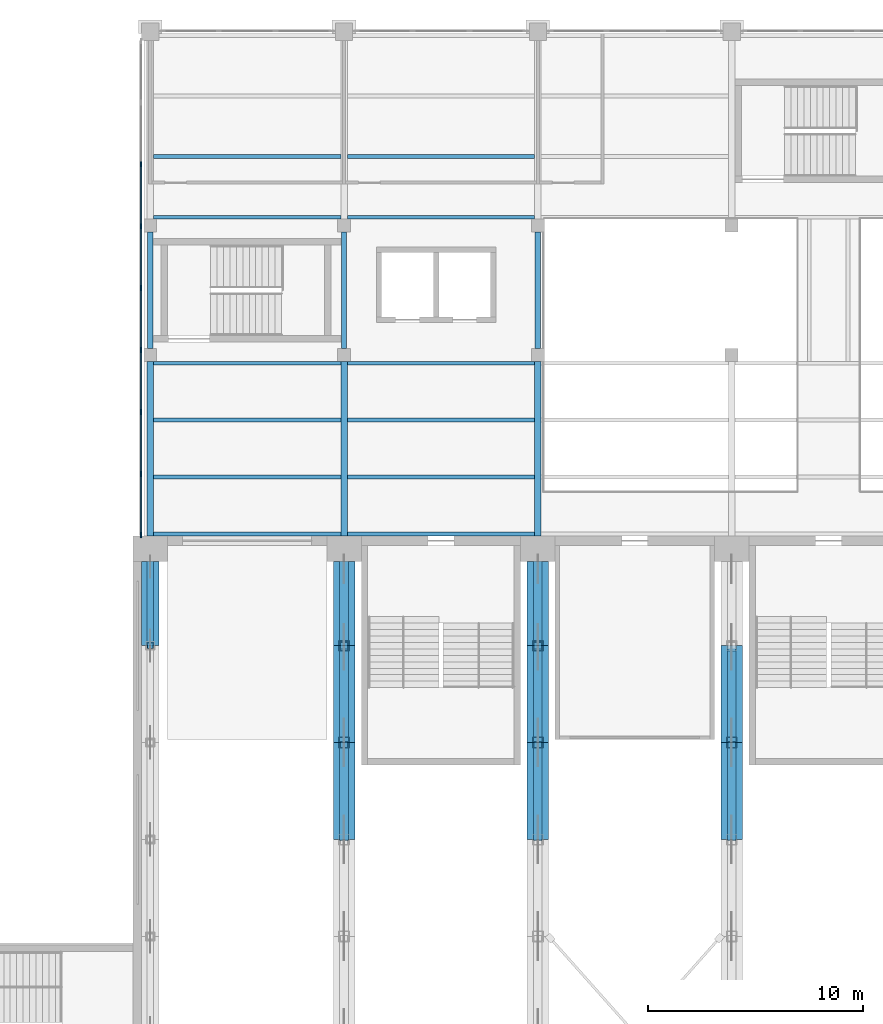
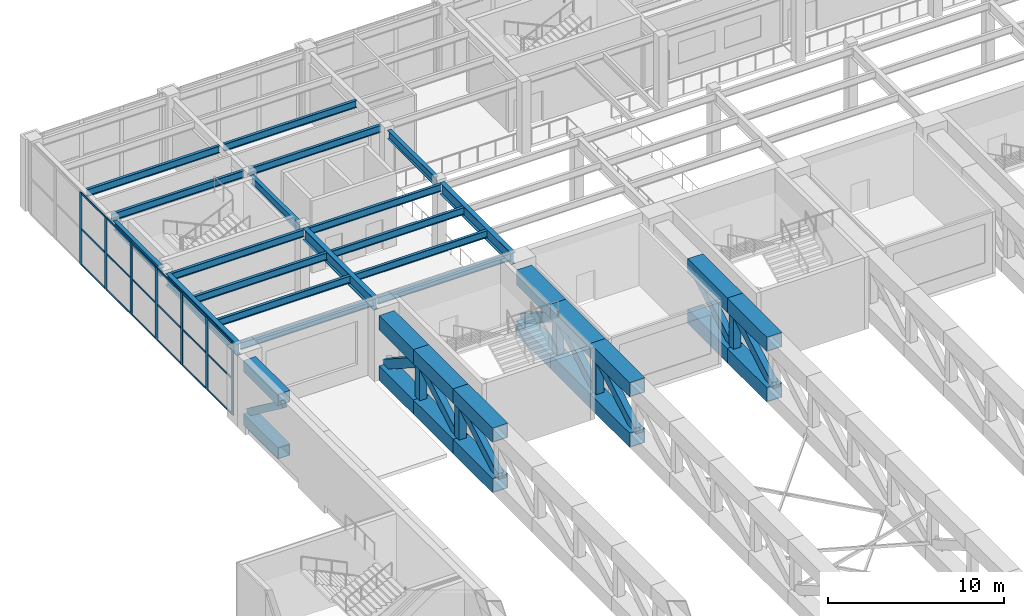
# One storey, part 14 of 76: 57 members, 18 beams, 1 element without a shape of its own.
"""IFC4 building model written with IfcOpenShell, lengths in metres."""

from ifc_helpers import new_model, si_unit, direction, frame, origin, origin_2d, place, context, subcontext, project, spatial, rectangle, hollow_rectangle, i_section, extrude, material, material_profile, profile_set, type_object, element, aggregate, save


model = new_model("IFC4")

# Units and contexts
model_context = context("Model", 3, precision=1e-05, world=origin(), true_north=direction((0.0, 1.0)))
body_context = subcontext(model_context, "Body", "Model", "MODEL_VIEW")
ifc_project = project(units=[si_unit("LENGTHUNIT", "METRE"), si_unit("AREAUNIT", "SQUARE_METRE"), si_unit("VOLUMEUNIT", "CUBIC_METRE"), si_unit("PLANEANGLEUNIT", "RADIAN"), si_unit("MASSUNIT", "GRAM", prefix="KILO")], contexts=[model_context])

# Site, building, storey
site_placement = place(None, origin())
site = spatial("IfcSite", under=ifc_project, at=site_placement, CompositionType="ELEMENT")
building_placement = place(site_placement, origin())
building = spatial("IfcBuilding", under=site, at=building_placement, Name="Aravalli Gate Trade Fair Centre", CompositionType="ELEMENT")
storey_placement = place(building_placement, frame((0.0, 0.0, 10.0)))
storey = spatial("IfcBuildingStorey", under=building, at=storey_placement, Name="L02", CompositionType="ELEMENT", Elevation=10.0)

# Curtain wall, members
ifc_material_1 = material(Name="Aluminium and glass", Category="aluminium")
curtain_wall_type = type_object("IfcCurtainWallType", Name="Curtain wall 3000 module, tall", PredefinedType="NOTDEFINED", material=ifc_material_1)
curtain_wall_placement = place(storey_placement, origin())
curtain_wall = element("IfcCurtainWall", 1, at=curtain_wall_placement, inside=storey, type_object=curtain_wall_type, Name="Curtain wall west end L02", PredefinedType="NOTDEFINED")
ifc_material_2 = material(Name="Aluminium", Category="aluminium")
ifc_material_profile_1 = material_profile(ifc_material_2, rectangle(XDim=0.06005859375, YDim=0.25, at=origin_2d()), Name="Concourse curtain wall mullion 60 x 250")
ifc_profile_set_1 = profile_set([ifc_material_profile_1], Name="Aluminium")
member_type_1 = type_object("IfcMemberType", Name="Concourse curtain wall mullion 60 x 250", PredefinedType="MULLION", material=ifc_profile_set_1)
member_1_placement = place(storey_placement, frame((5.574951171875, 109.6298828125, 0.0), z_axis=(0.0, 0.0, 1.0), x_axis=(-1.0, 0.0, 0.0)))
member_1 = element("IfcMember", 2, at=member_1_placement, type_object=member_type_1, Name="CW3 mullion 1", PredefinedType="MULLION", context=body_context, shape_type="SweptSolid", body=[
    extrude(rectangle(XDim=0.06005859375, YDim=0.25, at=origin_2d()), origin(), (0.0, 0.0, 1.0), 5.0),
])
member_2_placement = place(storey_placement, frame((5.574951171875, 112.47509765625, 0.0), z_axis=(0.0, 0.0, 1.0), x_axis=(-1.0, 0.0, 0.0)))
member_2 = element("IfcMember", 3, at=member_2_placement, type_object=member_type_1, Name="CW3 mullion 2", PredefinedType="MULLION", context=body_context, shape_type="SweptSolid", body=[
    extrude(rectangle(XDim=0.06005859375, YDim=0.25, at=origin_2d()), origin(), (0.0, 0.0, 1.0), 5.0),
])
member_3_placement = place(storey_placement, frame((5.574951171875, 115.35009765625, 0.0), z_axis=(0.0, 0.0, 1.0), x_axis=(-1.0, 0.0, 0.0)))
member_3 = element("IfcMember", 4, at=member_3_placement, type_object=member_type_1, Name="CW3 mullion 3", PredefinedType="MULLION", context=body_context, shape_type="SweptSolid", body=[
    extrude(rectangle(XDim=0.06005859375, YDim=0.25, at=origin_2d()), origin(), (0.0, 0.0, 1.0), 5.0),
])
member_4_placement = place(storey_placement, frame((5.574951171875, 118.22509765625, 0.0), z_axis=(0.0, 0.0, 1.0), x_axis=(-1.0, 0.0, 0.0)))
member_4 = element("IfcMember", 5, at=member_4_placement, type_object=member_type_1, Name="CW3 mullion 4", PredefinedType="MULLION", context=body_context, shape_type="SweptSolid", body=[
    extrude(rectangle(XDim=0.06005859375, YDim=0.25, at=origin_2d()), origin(), (0.0, 0.0, 1.0), 5.0),
])
member_5_placement = place(storey_placement, frame((5.574951171875, 121.10009765625, 0.0), z_axis=(0.0, 0.0, 1.0), x_axis=(-1.0, 0.0, 0.0)))
member_5 = element("IfcMember", 6, at=member_5_placement, type_object=member_type_1, Name="CW3 mullion 5", PredefinedType="MULLION", context=body_context, shape_type="SweptSolid", body=[
    extrude(rectangle(XDim=0.06005859375, YDim=0.25, at=origin_2d()), origin(), (0.0, 0.0, 1.0), 5.0),
])
member_6_placement = place(storey_placement, frame((5.574951171875, 123.97509765625, 0.0), z_axis=(0.0, 0.0, 1.0), x_axis=(-1.0, 0.0, 0.0)))
member_6 = element("IfcMember", 7, at=member_6_placement, type_object=member_type_1, Name="CW3 mullion 6", PredefinedType="MULLION", context=body_context, shape_type="SweptSolid", body=[
    extrude(rectangle(XDim=0.06005859375, YDim=0.25, at=origin_2d()), origin(), (0.0, 0.0, 1.0), 5.0),
])
member_7_placement = place(storey_placement, frame((5.574951171875, 126.85009765625, 0.0), z_axis=(0.0, 0.0, 1.0), x_axis=(-1.0, 0.0, 0.0)))
member_7 = element("IfcMember", 8, at=member_7_placement, type_object=member_type_1, Name="CW3 mullion 7", PredefinedType="MULLION", context=body_context, shape_type="SweptSolid", body=[
    extrude(rectangle(XDim=0.06005859375, YDim=0.25, at=origin_2d()), origin(), (0.0, 0.0, 1.0), 5.0),
])
ifc_material_profile_2 = material_profile(ifc_material_2, rectangle(XDim=0.06005859375, YDim=0.1201171875, at=origin_2d()), Name="Concourse curtain wall transom 60 x 120")
ifc_profile_set_2 = profile_set([ifc_material_profile_2], Name="Aluminium")
member_type_2 = type_object("IfcMemberType", Name="Concourse curtain wall transom 60 x 120", PredefinedType="USERDEFINED", material=ifc_profile_set_2)
member_8_placement = place(storey_placement, frame((5.574951171875, 109.659912109375, 0.030029296875), z_axis=(0.0, 1.0, 0.0), x_axis=(-1.0, 0.0, 0.0)))
member_8 = element("IfcMember", 9, at=member_8_placement, type_object=member_type_2, Name="CW3 transom 1.1", ObjectType="TRANSOM", PredefinedType="USERDEFINED", context=body_context, shape_type="SweptSolid", body=[
    extrude(rectangle(XDim=0.06005859375, YDim=0.1201171875, at=origin_2d()), origin(), (0.0, 0.0, 1.0), 2.78515625),
])
member_9_placement = place(storey_placement, frame((5.574951171875, 109.659912109375, 2.5), z_axis=(0.0, 1.0, 0.0), x_axis=(-1.0, 0.0, 0.0)))
member_9 = element("IfcMember", 10, at=member_9_placement, type_object=member_type_2, Name="CW3 transom 1.2", ObjectType="TRANSOM", PredefinedType="USERDEFINED", context=body_context, shape_type="SweptSolid", body=[
    extrude(rectangle(XDim=0.06005859375, YDim=0.1201171875, at=origin_2d()), origin(), (0.0, 0.0, 1.0), 2.78515625),
])
member_10_placement = place(storey_placement, frame((5.574951171875, 109.659912109375, 4.969970703125), z_axis=(0.0, 1.0, 0.0), x_axis=(-1.0, 0.0, 0.0)))
member_10 = element("IfcMember", 11, at=member_10_placement, type_object=member_type_2, Name="CW3 transom 1.3", ObjectType="TRANSOM", PredefinedType="USERDEFINED", context=body_context, shape_type="SweptSolid", body=[
    extrude(rectangle(XDim=0.06005859375, YDim=0.1201171875, at=origin_2d()), origin(), (0.0, 0.0, 1.0), 2.78515625),
])
member_11_placement = place(storey_placement, frame((5.574951171875, 112.5048828125, 0.030029296875), z_axis=(0.0, 1.0, 0.0), x_axis=(-1.0, 0.0, 0.0)))
member_11 = element("IfcMember", 12, at=member_11_placement, type_object=member_type_2, Name="CW3 transom 2.1", ObjectType="TRANSOM", PredefinedType="USERDEFINED", context=body_context, shape_type="SweptSolid", body=[
    extrude(rectangle(XDim=0.06005859375, YDim=0.1201171875, at=origin_2d()), origin(), (0.0, 0.0, 1.0), 2.815185546875),
])
member_12_placement = place(storey_placement, frame((5.574951171875, 112.5048828125, 2.5), z_axis=(0.0, 1.0, 0.0), x_axis=(-1.0, 0.0, 0.0)))
member_12 = element("IfcMember", 13, at=member_12_placement, type_object=member_type_2, Name="CW3 transom 2.2", ObjectType="TRANSOM", PredefinedType="USERDEFINED", context=body_context, shape_type="SweptSolid", body=[
    extrude(rectangle(XDim=0.06005859375, YDim=0.1201171875, at=origin_2d()), origin(), (0.0, 0.0, 1.0), 2.815185546875),
])
member_13_placement = place(storey_placement, frame((5.574951171875, 112.5048828125, 4.969970703125), z_axis=(0.0, 1.0, 0.0), x_axis=(-1.0, 0.0, 0.0)))
member_13 = element("IfcMember", 14, at=member_13_placement, type_object=member_type_2, Name="CW3 transom 2.3", ObjectType="TRANSOM", PredefinedType="USERDEFINED", context=body_context, shape_type="SweptSolid", body=[
    extrude(rectangle(XDim=0.06005859375, YDim=0.1201171875, at=origin_2d()), origin(), (0.0, 0.0, 1.0), 2.815185546875),
])
member_14_placement = place(storey_placement, frame((5.574951171875, 115.3798828125, 0.030029296875), z_axis=(0.0, 1.0, 0.0), x_axis=(-1.0, 0.0, 0.0)))
member_14 = element("IfcMember", 15, at=member_14_placement, type_object=member_type_2, Name="CW3 transom 3.1", ObjectType="TRANSOM", PredefinedType="USERDEFINED", context=body_context, shape_type="SweptSolid", body=[
    extrude(rectangle(XDim=0.06005859375, YDim=0.1201171875, at=origin_2d()), origin(), (0.0, 0.0, 1.0), 2.815185546875),
])
member_15_placement = place(storey_placement, frame((5.574951171875, 115.3798828125, 2.5), z_axis=(0.0, 1.0, 0.0), x_axis=(-1.0, 0.0, 0.0)))
member_15 = element("IfcMember", 16, at=member_15_placement, type_object=member_type_2, Name="CW3 transom 3.2", ObjectType="TRANSOM", PredefinedType="USERDEFINED", context=body_context, shape_type="SweptSolid", body=[
    extrude(rectangle(XDim=0.06005859375, YDim=0.1201171875, at=origin_2d()), origin(), (0.0, 0.0, 1.0), 2.815185546875),
])
member_16_placement = place(storey_placement, frame((5.574951171875, 115.3798828125, 4.969970703125), z_axis=(0.0, 1.0, 0.0), x_axis=(-1.0, 0.0, 0.0)))
member_16 = element("IfcMember", 17, at=member_16_placement, type_object=member_type_2, Name="CW3 transom 3.3", ObjectType="TRANSOM", PredefinedType="USERDEFINED", context=body_context, shape_type="SweptSolid", body=[
    extrude(rectangle(XDim=0.06005859375, YDim=0.1201171875, at=origin_2d()), origin(), (0.0, 0.0, 1.0), 2.815185546875),
])
member_17_placement = place(storey_placement, frame((5.574951171875, 118.2548828125, 0.030029296875), z_axis=(0.0, 1.0, 0.0), x_axis=(-1.0, 0.0, 0.0)))
member_17 = element("IfcMember", 18, at=member_17_placement, type_object=member_type_2, Name="CW3 transom 4.1", ObjectType="TRANSOM", PredefinedType="USERDEFINED", context=body_context, shape_type="SweptSolid", body=[
    extrude(rectangle(XDim=0.06005859375, YDim=0.1201171875, at=origin_2d()), origin(), (0.0, 0.0, 1.0), 2.815185546875),
])
member_18_placement = place(storey_placement, frame((5.574951171875, 118.2548828125, 2.5), z_axis=(0.0, 1.0, 0.0), x_axis=(-1.0, 0.0, 0.0)))
member_18 = element("IfcMember", 19, at=member_18_placement, type_object=member_type_2, Name="CW3 transom 4.2", ObjectType="TRANSOM", PredefinedType="USERDEFINED", context=body_context, shape_type="SweptSolid", body=[
    extrude(rectangle(XDim=0.06005859375, YDim=0.1201171875, at=origin_2d()), origin(), (0.0, 0.0, 1.0), 2.815185546875),
])
member_19_placement = place(storey_placement, frame((5.574951171875, 118.2548828125, 4.969970703125), z_axis=(0.0, 1.0, 0.0), x_axis=(-1.0, 0.0, 0.0)))
member_19 = element("IfcMember", 20, at=member_19_placement, type_object=member_type_2, Name="CW3 transom 4.3", ObjectType="TRANSOM", PredefinedType="USERDEFINED", context=body_context, shape_type="SweptSolid", body=[
    extrude(rectangle(XDim=0.06005859375, YDim=0.1201171875, at=origin_2d()), origin(), (0.0, 0.0, 1.0), 2.815185546875),
])
member_20_placement = place(storey_placement, frame((5.574951171875, 121.1298828125, 0.030029296875), z_axis=(0.0, 1.0, 0.0), x_axis=(-1.0, 0.0, 0.0)))
member_20 = element("IfcMember", 21, at=member_20_placement, type_object=member_type_2, Name="CW3 transom 5.1", ObjectType="TRANSOM", PredefinedType="USERDEFINED", context=body_context, shape_type="SweptSolid", body=[
    extrude(rectangle(XDim=0.06005859375, YDim=0.1201171875, at=origin_2d()), origin(), (0.0, 0.0, 1.0), 2.815185546875),
])
member_21_placement = place(storey_placement, frame((5.574951171875, 121.1298828125, 2.5), z_axis=(0.0, 1.0, 0.0), x_axis=(-1.0, 0.0, 0.0)))
member_21 = element("IfcMember", 22, at=member_21_placement, type_object=member_type_2, Name="CW3 transom 5.2", ObjectType="TRANSOM", PredefinedType="USERDEFINED", context=body_context, shape_type="SweptSolid", body=[
    extrude(rectangle(XDim=0.06005859375, YDim=0.1201171875, at=origin_2d()), origin(), (0.0, 0.0, 1.0), 2.815185546875),
])
member_22_placement = place(storey_placement, frame((5.574951171875, 121.1298828125, 4.969970703125), z_axis=(0.0, 1.0, 0.0), x_axis=(-1.0, 0.0, 0.0)))
member_22 = element("IfcMember", 23, at=member_22_placement, type_object=member_type_2, Name="CW3 transom 5.3", ObjectType="TRANSOM", PredefinedType="USERDEFINED", context=body_context, shape_type="SweptSolid", body=[
    extrude(rectangle(XDim=0.06005859375, YDim=0.1201171875, at=origin_2d()), origin(), (0.0, 0.0, 1.0), 2.815185546875),
])
member_23_placement = place(storey_placement, frame((5.574951171875, 124.0048828125, 0.030029296875), z_axis=(0.0, 1.0, 0.0), x_axis=(-1.0, 0.0, 0.0)))
member_23 = element("IfcMember", 24, at=member_23_placement, type_object=member_type_2, Name="CW3 transom 6.1", ObjectType="TRANSOM", PredefinedType="USERDEFINED", context=body_context, shape_type="SweptSolid", body=[
    extrude(rectangle(XDim=0.06005859375, YDim=0.1201171875, at=origin_2d()), origin(), (0.0, 0.0, 1.0), 2.815185546875),
])
member_24_placement = place(storey_placement, frame((5.574951171875, 124.0048828125, 2.5), z_axis=(0.0, 1.0, 0.0), x_axis=(-1.0, 0.0, 0.0)))
member_24 = element("IfcMember", 25, at=member_24_placement, type_object=member_type_2, Name="CW3 transom 6.2", ObjectType="TRANSOM", PredefinedType="USERDEFINED", context=body_context, shape_type="SweptSolid", body=[
    extrude(rectangle(XDim=0.06005859375, YDim=0.1201171875, at=origin_2d()), origin(), (0.0, 0.0, 1.0), 2.815185546875),
])
member_25_placement = place(storey_placement, frame((5.574951171875, 124.0048828125, 4.969970703125), z_axis=(0.0, 1.0, 0.0), x_axis=(-1.0, 0.0, 0.0)))
member_25 = element("IfcMember", 26, at=member_25_placement, type_object=member_type_2, Name="CW3 transom 6.3", ObjectType="TRANSOM", PredefinedType="USERDEFINED", context=body_context, shape_type="SweptSolid", body=[
    extrude(rectangle(XDim=0.06005859375, YDim=0.1201171875, at=origin_2d()), origin(), (0.0, 0.0, 1.0), 2.815185546875),
])
aggregate(curtain_wall, [member_1, member_2, member_3, member_4, member_5, member_6, member_7, member_8, member_9, member_10, member_11, member_12, member_13, member_14, member_15, member_16, member_17, member_18, member_19, member_20, member_21, member_22, member_23, member_24, member_25])

# Members
ifc_material_3 = material(Name="Steel E350", Category="steel")
ifc_material_profile_3 = material_profile(ifc_material_3, hollow_rectangle(XDim=1.0, YDim=1.0, WallThickness=0.050048828125, at=origin_2d()), Name="BOX 1000x1000x50")
ifc_profile_set_3 = profile_set([ifc_material_profile_3], Name="Steel E350")
member_type_3 = type_object("IfcMemberType", Name="FT1 chord BOX 1000x1000x50", PredefinedType="CHORD", material=ifc_profile_set_3)
for number, where, z_axis, x_axis, name in (
    (27, (15.0, 95.5, 0.5), (0.0, 1.0, 0.0), (-1.0, 0.0, 0.0), "FT1 line 2 bottom chord 12"),
    (28, (15.0, 95.5, 4.0), (0.0, 1.0, 0.0), (-1.0, 0.0, 0.0), "FT1 line 2 top chord 12"),
    (29, (15.0, 100.0, 0.5), (0.0, 1.0, 0.0), (-1.0, 0.0, 0.0), "FT1 line 2 bottom chord 13"),
    (30, (15.0, 100.0, 4.0), (0.0, 1.0, 0.0), (-1.0, 0.0, 0.0), "FT1 line 2 top chord 13"),
):
    element("IfcMember", number, at=place(storey_placement, frame(where, z_axis=z_axis, x_axis=x_axis)), inside=storey, type_object=member_type_3, Name=name, PredefinedType="CHORD", context=body_context, shape_type="SweptSolid", body=[
        extrude(hollow_rectangle(XDim=1.0, YDim=1.0, WallThickness=0.050048828125, at=origin_2d()), origin(), (0.0, 0.0, 1.0), 4.5),
    ])
for number, where, z_axis, x_axis, name in (
    (31, (15.0, 104.5, 0.5), (0.0, 1.0, 0.0), (-1.0, 0.0, 0.0), "FT1 line 2 bottom chord 14"),
    (32, (15.0, 104.5, 4.0), (0.0, 1.0, 0.0), (-1.0, 0.0, 0.0), "FT1 line 2 top chord 14"),
):
    element("IfcMember", number, at=place(storey_placement, frame(where, z_axis=z_axis, x_axis=x_axis)), inside=storey, type_object=member_type_3, Name=name, PredefinedType="CHORD", context=body_context, shape_type="SweptSolid", body=[
        extrude(hollow_rectangle(XDim=1.0, YDim=1.0, WallThickness=0.050048828125, at=origin_2d()), origin(), (0.0, 0.0, 1.0), 3.89990234375),
    ])
for number, where, z_axis, x_axis, name in (
    (33, (24.0, 95.5, 0.5), (0.0, 1.0, 0.0), (-1.0, 0.0, 0.0), "FT1 line 3 bottom chord 12"),
    (34, (24.0, 95.5, 4.0), (0.0, 1.0, 0.0), (-1.0, 0.0, 0.0), "FT1 line 3 top chord 12"),
    (35, (24.0, 100.0, 0.5), (0.0, 1.0, 0.0), (-1.0, 0.0, 0.0), "FT1 line 3 bottom chord 13"),
    (36, (24.0, 100.0, 4.0), (0.0, 1.0, 0.0), (-1.0, 0.0, 0.0), "FT1 line 3 top chord 13"),
):
    element("IfcMember", number, at=place(storey_placement, frame(where, z_axis=z_axis, x_axis=x_axis)), inside=storey, type_object=member_type_3, Name=name, PredefinedType="CHORD", context=body_context, shape_type="SweptSolid", body=[
        extrude(hollow_rectangle(XDim=1.0, YDim=1.0, WallThickness=0.050048828125, at=origin_2d()), origin(), (0.0, 0.0, 1.0), 4.5),
    ])
for number, where, z_axis, x_axis, name in (
    (37, (24.0, 104.5, 0.5), (0.0, 1.0, 0.0), (-1.0, 0.0, 0.0), "FT1 line 3 bottom chord 14"),
    (38, (24.0, 104.5, 4.0), (0.0, 1.0, 0.0), (-1.0, 0.0, 0.0), "FT1 line 3 top chord 14"),
):
    element("IfcMember", number, at=place(storey_placement, frame(where, z_axis=z_axis, x_axis=x_axis)), inside=storey, type_object=member_type_3, Name=name, PredefinedType="CHORD", context=body_context, shape_type="SweptSolid", body=[
        extrude(hollow_rectangle(XDim=1.0, YDim=1.0, WallThickness=0.050048828125, at=origin_2d()), origin(), (0.0, 0.0, 1.0), 3.89990234375),
    ])
for number, where, z_axis, x_axis, name in (
    (39, (33.0, 95.5, 0.5), (0.0, 1.0, 0.0), (-1.0, 0.0, 0.0), "FT1 line 4 bottom chord 12"),
    (40, (33.0, 95.5, 4.0), (0.0, 1.0, 0.0), (-1.0, 0.0, 0.0), "FT1 line 4 top chord 12"),
    (41, (33.0, 100.0, 0.5), (0.0, 1.0, 0.0), (-1.0, 0.0, 0.0), "FT1 line 4 bottom chord 13"),
    (42, (33.0, 100.0, 4.0), (0.0, 1.0, 0.0), (-1.0, 0.0, 0.0), "FT1 line 4 top chord 13"),
):
    element("IfcMember", number, at=place(storey_placement, frame(where, z_axis=z_axis, x_axis=x_axis)), inside=storey, type_object=member_type_3, Name=name, PredefinedType="CHORD", context=body_context, shape_type="SweptSolid", body=[
        extrude(hollow_rectangle(XDim=1.0, YDim=1.0, WallThickness=0.050048828125, at=origin_2d()), origin(), (0.0, 0.0, 1.0), 4.5),
    ])
ifc_material_profile_4 = material_profile(ifc_material_3, hollow_rectangle(XDim=0.39990234375, YDim=0.60009765625, WallThickness=0.030029296875, at=origin_2d()), Name="RHS 600x400x30")
ifc_profile_set_4 = profile_set([ifc_material_profile_4], Name="Steel E350")
member_type_4 = type_object("IfcMemberType", Name="FT1 diagonal RHS 600x400x30", PredefinedType="BRACE", material=ifc_profile_set_4)
for number, where, z_axis, x_axis, name in (
    (43, (15.0, 99.89501953125, 3.5), (0.0, -0.863999951417, -0.503491890651), (1.0, 0.0, 0.0), "FT1 line 2 diagonal 12"),
    (44, (15.0, 104.39501953125, 3.5), (0.0, -0.863999951417, -0.503491890651), (1.0, 0.0, 0.0), "FT1 line 2 diagonal 13"),
):
    element("IfcMember", number, at=place(storey_placement, frame(where, z_axis=z_axis, x_axis=x_axis)), inside=storey, type_object=member_type_4, Name=name, PredefinedType="BRACE", context=body_context, shape_type="SweptSolid", body=[
        extrude(hollow_rectangle(XDim=0.39990234375, YDim=0.60009765625, WallThickness=0.030029296875, at=origin_2d()), origin(), (0.0, 0.0, 1.0), 4.96533203125),
    ])
member_26_placement = place(storey_placement, frame((15.0, 108.39990234375, 1.0), z_axis=(0.0, -0.841872999265, 0.53967569253), x_axis=(1.0, 0.0, 0.0)))
element("IfcMember", 45, at=member_26_placement, inside=storey, type_object=member_type_4, Name="FT1 line 2 diagonal 14", PredefinedType="BRACE", context=body_context, shape_type="SweptSolid", body=[
    extrude(hollow_rectangle(XDim=0.39990234375, YDim=0.60009765625, WallThickness=0.030029296875, at=origin_2d()), origin(), (0.0, 0.0, 1.0), 4.63232421875),
])
for number, where, z_axis, x_axis, name in (
    (46, (24.0, 99.89501953125, 3.5), (0.0, -0.863999951417, -0.503491890651), (1.0, 0.0, 0.0), "FT1 line 3 diagonal 12"),
    (47, (24.0, 104.39501953125, 3.5), (0.0, -0.863999951417, -0.503491890651), (1.0, 0.0, 0.0), "FT1 line 3 diagonal 13"),
):
    element("IfcMember", number, at=place(storey_placement, frame(where, z_axis=z_axis, x_axis=x_axis)), inside=storey, type_object=member_type_4, Name=name, PredefinedType="BRACE", context=body_context, shape_type="SweptSolid", body=[
        extrude(hollow_rectangle(XDim=0.39990234375, YDim=0.60009765625, WallThickness=0.030029296875, at=origin_2d()), origin(), (0.0, 0.0, 1.0), 4.96533203125),
    ])
member_27_placement = place(storey_placement, frame((24.0, 108.39990234375, 1.0), z_axis=(0.0, -0.841872999265, 0.53967569253), x_axis=(1.0, 0.0, 0.0)))
element("IfcMember", 48, at=member_27_placement, inside=storey, type_object=member_type_4, Name="FT1 line 3 diagonal 14", PredefinedType="BRACE", context=body_context, shape_type="SweptSolid", body=[
    extrude(hollow_rectangle(XDim=0.39990234375, YDim=0.60009765625, WallThickness=0.030029296875, at=origin_2d()), origin(), (0.0, 0.0, 1.0), 4.63232421875),
])
for number, where, z_axis, x_axis, name in (
    (49, (33.0, 99.89501953125, 3.5), (0.0, -0.863999951417, -0.503491890651), (1.0, 0.0, 0.0), "FT1 line 4 diagonal 12"),
    (50, (33.0, 104.39501953125, 3.5), (0.0, -0.863999951417, -0.503491890651), (1.0, 0.0, 0.0), "FT1 line 4 diagonal 13"),
):
    element("IfcMember", number, at=place(storey_placement, frame(where, z_axis=z_axis, x_axis=x_axis)), inside=storey, type_object=member_type_4, Name=name, PredefinedType="BRACE", context=body_context, shape_type="SweptSolid", body=[
        extrude(hollow_rectangle(XDim=0.39990234375, YDim=0.60009765625, WallThickness=0.030029296875, at=origin_2d()), origin(), (0.0, 0.0, 1.0), 4.96533203125),
    ])
ifc_material_profile_5 = material_profile(ifc_material_3, hollow_rectangle(XDim=0.5, YDim=0.5, WallThickness=0.02490234375, at=origin_2d()), Name="BOX 500x500x25")
ifc_profile_set_5 = profile_set([ifc_material_profile_5], Name="Steel E350")
member_type_5 = type_object("IfcMemberType", Name="FT1 post BOX 500x500x25", PredefinedType="POST", material=ifc_profile_set_5)
for number, where, z_axis, x_axis, name in (
    (51, (15.0, 100.0, 1.0), (0.0, 0.0, 1.0), (1.0, 0.0, 0.0), "FT1 line 2 post 12"),
    (52, (15.0, 104.5, 1.0), (0.0, 0.0, 1.0), (1.0, 0.0, 0.0), "FT1 line 2 post 13"),
    (53, (24.0, 100.0, 1.0), (0.0, 0.0, 1.0), (1.0, 0.0, 0.0), "FT1 line 3 post 12"),
    (54, (24.0, 104.5, 1.0), (0.0, 0.0, 1.0), (1.0, 0.0, 0.0), "FT1 line 3 post 13"),
    (55, (33.0, 100.0, 1.0), (0.0, 0.0, 1.0), (1.0, 0.0, 0.0), "FT1 line 4 post 12"),
):
    element("IfcMember", number, at=place(storey_placement, frame(where, z_axis=z_axis, x_axis=x_axis)), inside=storey, type_object=member_type_5, Name=name, PredefinedType="POST", context=body_context, shape_type="SweptSolid", body=[
        extrude(hollow_rectangle(XDim=0.5, YDim=0.5, WallThickness=0.02490234375, at=origin_2d()), origin(), (0.0, 0.0, 1.0), 2.5),
    ])
ifc_material_profile_6 = material_profile(ifc_material_3, hollow_rectangle(XDim=0.800048828125, YDim=0.800048828125, WallThickness=0.0400390625, at=origin_2d()), Name="BOX 800x800x40")
ifc_profile_set_6 = profile_set([ifc_material_profile_6], Name="Steel E350")
member_type_6 = type_object("IfcMemberType", Name="FT2 chord BOX 800x800x40", PredefinedType="CHORD", material=ifc_profile_set_6)
for number, where, z_axis, x_axis, name in (
    (56, (6.0, 104.5, 0.39990234375), (0.0, 1.0, 0.0), (-1.0, 0.0, 0.0), "FT2 line 1 bottom chord 14"),
    (57, (6.0, 104.5, 4.10009765625), (0.0, 1.0, 0.0), (-1.0, 0.0, 0.0), "FT2 line 1 top chord 14"),
):
    element("IfcMember", number, at=place(storey_placement, frame(where, z_axis=z_axis, x_axis=x_axis)), inside=storey, type_object=member_type_6, Name=name, PredefinedType="CHORD", context=body_context, shape_type="SweptSolid", body=[
        extrude(hollow_rectangle(XDim=0.800048828125, YDim=0.800048828125, WallThickness=0.0400390625, at=origin_2d()), origin(), (0.0, 0.0, 1.0), 3.89990234375),
    ])
ifc_material_profile_7 = material_profile(ifc_material_3, hollow_rectangle(XDim=0.300048828125, YDim=0.449951171875, WallThickness=0.02001953125, at=origin_2d()), Name="RHS 450x300x20")
ifc_profile_set_7 = profile_set([ifc_material_profile_7], Name="Steel E350")
member_type_7 = type_object("IfcMemberType", Name="FT2 diagonal RHS 450x300x20", PredefinedType="BRACE", material=ifc_profile_set_7)
member_28_placement = place(storey_placement, frame((6.0, 108.39990234375, 0.800048828125), z_axis=(0.0, -0.80246480806, 0.596699448487), x_axis=(1.0, 0.0, 0.0)))
element("IfcMember", 58, at=member_28_placement, inside=storey, type_object=member_type_7, Name="FT2 line 1 diagonal 14", PredefinedType="BRACE", context=body_context, shape_type="SweptSolid", body=[
    extrude(hollow_rectangle(XDim=0.300048828125, YDim=0.449951171875, WallThickness=0.02001953125, at=origin_2d()), origin(), (0.0, 0.0, 1.0), 4.85986328125),
])

# Beams
ifc_material_profile_8 = material_profile(ifc_material_3, i_section(OverallWidth=0.179931640625, OverallDepth=0.5, WebThickness=0.01025390625, FlangeThickness=0.01708984375, at=origin_2d()), Name="ISMB 500")
ifc_profile_set_8 = profile_set([ifc_material_profile_8], Name="Steel E350")
beam_type_1 = type_object("IfcBeamType", Name="ISMB 500 gallery secondary beam", PredefinedType="JOIST", material=ifc_profile_set_8)
for number, where, z_axis, x_axis, name in (
    (59, (6.14990234375, 109.68994140625, 4.550048828125), (1.0, 0.0, 0.0), (0.0, 1.0, 0.0), "Gallery beam S0 01-02 L03"),
    (60, (6.14990234375, 112.330078125, 4.550048828125), (1.0, 0.0, 0.0), (0.0, 1.0, 0.0), "Gallery beam S1 01-02 L03"),
    (61, (6.14990234375, 114.969970703125, 4.550048828125), (1.0, 0.0, 0.0), (0.0, 1.0, 0.0), "Gallery beam S2 01-02 L03"),
    (62, (6.14990234375, 117.610107421875, 4.550048828125), (1.0, 0.0, 0.0), (0.0, 1.0, 0.0), "Gallery beam S3 01-02 L03"),
    (63, (6.14990234375, 124.389892578125, 4.550048828125), (1.0, 0.0, 0.0), (0.0, 1.0, 0.0), "Gallery beam N4 01-02 L03"),
    (64, (6.14990234375, 127.203369140625, 4.550048828125), (1.0, 0.0, 0.0), (0.0, 1.0, 0.0), "Gallery beam N5 01-02 L03"),
    (65, (15.14990234375, 109.68994140625, 4.550048828125), (1.0, 0.0, 0.0), (0.0, 1.0, 0.0), "Gallery beam S0 02-03 L03"),
    (66, (15.14990234375, 112.330078125, 4.550048828125), (1.0, 0.0, 0.0), (0.0, 1.0, 0.0), "Gallery beam S1 02-03 L03"),
    (67, (15.14990234375, 114.969970703125, 4.550048828125), (1.0, 0.0, 0.0), (0.0, 1.0, 0.0), "Gallery beam S2 02-03 L03"),
    (68, (15.14990234375, 117.610107421875, 4.550048828125), (1.0, 0.0, 0.0), (0.0, 1.0, 0.0), "Gallery beam S3 02-03 L03"),
    (69, (15.14990234375, 124.389892578125, 4.550048828125), (1.0, 0.0, 0.0), (0.0, 1.0, 0.0), "Gallery beam N4 02-03 L03"),
    (70, (15.14990234375, 127.203369140625, 4.550048828125), (1.0, 0.0, 0.0), (0.0, 1.0, 0.0), "Gallery beam N5 02-03 L03"),
):
    element("IfcBeam", number, at=place(storey_placement, frame(where, z_axis=z_axis, x_axis=x_axis)), inside=storey, type_object=beam_type_1, Name=name, PredefinedType="JOIST", context=body_context, shape_type="SweptSolid", body=[
        extrude(i_section(OverallWidth=0.179931640625, OverallDepth=0.5, WebThickness=0.01025390625, FlangeThickness=0.01708984375, at=origin_2d()), origin(), (0.0, 0.0, 1.0), 8.7001953125),
    ])
ifc_material_profile_9 = material_profile(ifc_material_3, i_section(OverallWidth=0.25, OverallDepth=0.60009765625, WebThickness=0.01123046875, FlangeThickness=0.021240234375, at=origin_2d()), Name="ISWB 600")
ifc_profile_set_9 = profile_set([ifc_material_profile_9], Name="Steel E350")
beam_type_2 = type_object("IfcBeamType", Name="ISWB 600 gallery girder", PredefinedType="BEAM", material=ifc_profile_set_9)
for number, where, z_axis, x_axis, name in (
    (71, (6.0, 118.300048828125, 4.5), (0.0, 1.0, 0.0), (-1.0, 0.0, 0.0), "Gallery girder M01 L03"),
    (72, (15.0, 118.300048828125, 4.5), (0.0, 1.0, 0.0), (-1.0, 0.0, 0.0), "Gallery girder M02 L03"),
    (73, (24.0, 118.300048828125, 4.5), (0.0, 1.0, 0.0), (-1.0, 0.0, 0.0), "Gallery girder M03 L03"),
):
    element("IfcBeam", number, at=place(storey_placement, frame(where, z_axis=z_axis, x_axis=x_axis)), inside=storey, type_object=beam_type_2, Name=name, PredefinedType="BEAM", context=body_context, shape_type="SweptSolid", body=[
        extrude(i_section(OverallWidth=0.25, OverallDepth=0.60009765625, WebThickness=0.01123046875, FlangeThickness=0.021240234375, at=origin_2d()), origin(), (0.0, 0.0, 1.0), 5.39990234375),
    ])
ifc_material_profile_10 = material_profile(ifc_material_3, i_section(OverallWidth=0.300048828125, OverallDepth=0.800048828125, WebThickness=0.011962890625, FlangeThickness=0.02490234375, at=origin_2d()), Name="PG 800x300x12x25")
ifc_profile_set_10 = profile_set([ifc_material_profile_10], Name="Steel E350")
beam_type_3 = type_object("IfcBeamType", Name="PG 800x300x12x25 gallery plate girder", PredefinedType="BEAM", material=ifc_profile_set_10)
for number, where, z_axis, x_axis, name in (
    (74, (6.0, 109.60009765625, 4.39990234375), (0.0, 1.0, 0.0), (-1.0, 0.0, 0.0), "Gallery girder S01 L03"),
    (75, (15.0, 109.60009765625, 4.39990234375), (0.0, 1.0, 0.0), (-1.0, 0.0, 0.0), "Gallery girder S02 L03"),
    (76, (24.0, 109.60009765625, 4.39990234375), (0.0, 1.0, 0.0), (-1.0, 0.0, 0.0), "Gallery girder S03 L03"),
):
    element("IfcBeam", number, at=place(storey_placement, frame(where, z_axis=z_axis, x_axis=x_axis)), inside=storey, type_object=beam_type_3, Name=name, PredefinedType="BEAM", context=body_context, shape_type="SweptSolid", body=[
        extrude(i_section(OverallWidth=0.300048828125, OverallDepth=0.800048828125, WebThickness=0.011962890625, FlangeThickness=0.02490234375, at=origin_2d()), origin(), (0.0, 0.0, 1.0), 8.099853515625),
    ])

save(model, "model.ifc")
